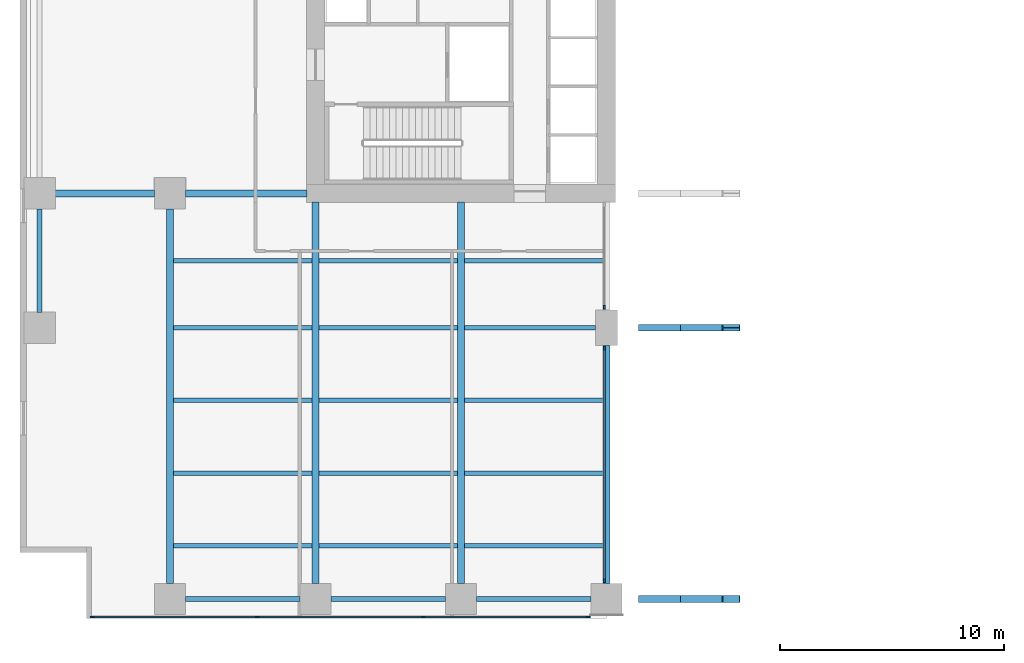
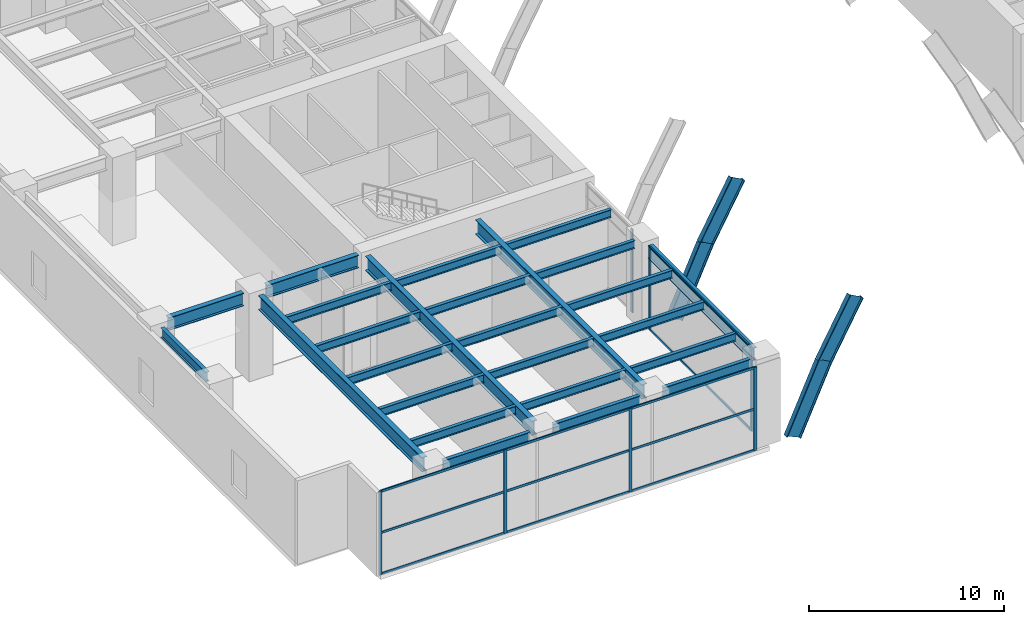
# One storey, part 2 of 17: 25 beams, 22 members, 3 elements without a shape of their own.
"""IFC4 building model written with IfcOpenShell, lengths in metres."""

from ifc_helpers import new_model, si_unit, direction, frame, origin, origin_2d, place, context, subcontext, project, spatial, rectangle, i_section, extrude, material, layer, layer_set, material_profile, profile_set, type_object, element, aggregate, save


model = new_model("IFC4")

# Units and contexts
model_context = context("Model", 3, precision=1e-05, world=origin(), true_north=direction((0.0, 1.0)))
body_context = subcontext(model_context, "Body", "Model", "MODEL_VIEW")
ifc_project = project(units=[si_unit("LENGTHUNIT", "METRE"), si_unit("AREAUNIT", "SQUARE_METRE"), si_unit("VOLUMEUNIT", "CUBIC_METRE"), si_unit("PLANEANGLEUNIT", "RADIAN"), si_unit("MASSUNIT", "GRAM", prefix="KILO")], contexts=[model_context])

# Site, building, storey
site_placement = place(None, origin())
site = spatial("IfcSite", under=ifc_project, at=site_placement, CompositionType="ELEMENT")
building_placement = place(site_placement, origin())
building = spatial("IfcBuilding", under=site, at=building_placement, Name="Putna Gate Headquarters", CompositionType="ELEMENT")
storey_placement = place(building_placement, frame((0.0, 0.0, 6.0)))
storey = spatial("IfcBuildingStorey", under=building, at=storey_placement, Name="L01", CompositionType="ELEMENT", Elevation=6.0)

# Beams
ifc_material_1 = material(Name="Steel S355J2", Category="steel")
ifc_material_profile_1 = material_profile(ifc_material_1, i_section(OverallWidth=0.300048828125, OverallDepth=0.800048828125, WebThickness=0.017578125, FlangeThickness=0.032958984375, at=origin_2d()), Name="Steel S355J2")
ifc_profile_set_1 = profile_set([ifc_material_profile_1], Name="Steel S355J2")
beam_type_1 = type_object("IfcBeamType", Name="BM-GIRD-P-HEB800", PredefinedType="USERDEFINED", material=ifc_profile_set_1)
beam_1_placement = place(storey_placement, frame((1.367919921875, 19.0, 4.820068359375), z_axis=(1.0, 0.0, 0.0), x_axis=(0.0, 1.0, 0.0)))
element("IfcBeam", 1, at=beam_1_placement, inside=storey, type_object=beam_type_1, Name="L01 West Wing Girder Y19-1", ObjectType="GIRDER", PredefinedType="USERDEFINED", context=body_context, shape_type="SweptSolid", body=[
    extrude(i_section(OverallWidth=0.300048828125, OverallDepth=0.800048828125, WebThickness=0.017578125, FlangeThickness=0.032958984375, at=origin_2d()), origin(), (0.0, 0.0, 1.0), 4.444091796875),
])
beam_2_placement = place(storey_placement, frame((7.18798828125, 19.0, 4.820068359375), z_axis=(1.0, 0.0, 0.0), x_axis=(0.0, 1.0, 0.0)))
element("IfcBeam", 2, at=beam_2_placement, inside=storey, type_object=beam_type_1, Name="L01 West Wing Girder Y19-2", ObjectType="GIRDER", PredefinedType="USERDEFINED", context=body_context, shape_type="SweptSolid", body=[
    extrude(i_section(OverallWidth=0.300048828125, OverallDepth=0.800048828125, WebThickness=0.017578125, FlangeThickness=0.032958984375, at=origin_2d()), origin(), (0.0, 0.0, 1.0), 5.427001953125),
])
beam_3_placement = place(storey_placement, frame((26.0, 1.568115234375, 4.820068359375), z_axis=(0.0, 1.0, 0.0), x_axis=(-1.0, 0.0, 0.0)))
element("IfcBeam", 3, at=beam_3_placement, inside=storey, type_object=beam_type_1, Name="L01 South Primary Girder X26-1", ObjectType="GIRDER", PredefinedType="USERDEFINED", context=body_context, shape_type="SweptSolid", body=[
    extrude(i_section(OverallWidth=0.300048828125, OverallDepth=0.800048828125, WebThickness=0.017578125, FlangeThickness=0.032958984375, at=origin_2d()), origin(), (0.0, 0.0, 1.0), 10.643798828125),
])
ifc_material_profile_2 = material_profile(ifc_material_1, i_section(OverallWidth=0.300048828125, OverallDepth=0.89990234375, WebThickness=0.0185546875, FlangeThickness=0.034912109375, at=origin_2d()), Name="Steel S355J2")
ifc_profile_set_2 = profile_set([ifc_material_profile_2], Name="Steel S355J2")
beam_type_2 = type_object("IfcBeamType", Name="BM-SEC-AUD-HEB900", PredefinedType="USERDEFINED", material=ifc_profile_set_2)
beam_4_placement = place(storey_placement, frame((6.5, 1.568115234375, 4.77001953125), z_axis=(0.0, 1.0, 0.0), x_axis=(-1.0, 0.0, 0.0)))
element("IfcBeam", 4, at=beam_4_placement, inside=storey, type_object=beam_type_2, Name="L01 South Primary Girder X6", ObjectType="GIRDER", PredefinedType="USERDEFINED", context=body_context, shape_type="SweptSolid", body=[
    extrude(i_section(OverallWidth=0.300048828125, OverallDepth=0.89990234375, WebThickness=0.0185546875, FlangeThickness=0.034912109375, at=origin_2d()), origin(), (0.0, 0.0, 1.0), 16.743896484375),
])
for number, where, z_axis, x_axis, name in (
    (5, (13.0, 1.568115234375, 4.77001953125), (0.0, 1.0, 0.0), (-1.0, 0.0, 0.0), "L01 South Primary Girder X13"),
    (6, (19.5, 1.568115234375, 4.77001953125), (0.0, 1.0, 0.0), (-1.0, 0.0, 0.0), "L01 South Primary Girder X19"),
):
    element("IfcBeam", number, at=place(storey_placement, frame(where, z_axis=z_axis, x_axis=x_axis)), inside=storey, type_object=beam_type_2, Name=name, ObjectType="GIRDER", PredefinedType="USERDEFINED", context=body_context, shape_type="SweptSolid", body=[
        extrude(i_section(OverallWidth=0.300048828125, OverallDepth=0.89990234375, WebThickness=0.0185546875, FlangeThickness=0.034912109375, at=origin_2d()), origin(), (0.0, 0.0, 1.0), 17.046875),
    ])
ifc_material_profile_3 = material_profile(ifc_material_1, i_section(OverallWidth=0.199951171875, OverallDepth=0.5, WebThickness=0.01025390625, FlangeThickness=0.01611328125, at=origin_2d()), Name="Steel S355J2")
ifc_profile_set_3 = profile_set([ifc_material_profile_3], Name="Steel S355J2")
beam_type_3 = type_object("IfcBeamType", Name="BM-SEC-P-IPE500", PredefinedType="BEAM", material=ifc_profile_set_3)
for number, where, z_axis, x_axis, name in (
    (7, (6.654052734375, 3.25, 4.969970703125), (1.0, 0.0, 0.0), (0.0, 1.0, 0.0), "L01 South Secondary Beam 1"),
    (8, (6.654052734375, 6.5, 4.969970703125), (1.0, 0.0, 0.0), (0.0, 1.0, 0.0), "L01 South Secondary Beam 1"),
    (9, (6.654052734375, 9.75, 4.969970703125), (1.0, 0.0, 0.0), (0.0, 1.0, 0.0), "L01 South Secondary Beam 1"),
    (10, (6.654052734375, 13.0, 4.969970703125), (1.0, 0.0, 0.0), (0.0, 1.0, 0.0), "L01 South Secondary Beam 1"),
    (11, (6.654052734375, 16.0, 4.969970703125), (1.0, 0.0, 0.0), (0.0, 1.0, 0.0), "L01 South Secondary Beam 1"),
    (12, (13.154052734375, 3.25, 4.969970703125), (1.0, 0.0, 0.0), (0.0, 1.0, 0.0), "L01 South Secondary Beam 2"),
    (13, (13.154052734375, 6.5, 4.969970703125), (1.0, 0.0, 0.0), (0.0, 1.0, 0.0), "L01 South Secondary Beam 2"),
    (14, (13.154052734375, 9.75, 4.969970703125), (1.0, 0.0, 0.0), (0.0, 1.0, 0.0), "L01 South Secondary Beam 2"),
    (15, (13.154052734375, 13.0, 4.969970703125), (1.0, 0.0, 0.0), (0.0, 1.0, 0.0), "L01 South Secondary Beam 2"),
    (16, (13.154052734375, 16.0, 4.969970703125), (1.0, 0.0, 0.0), (0.0, 1.0, 0.0), "L01 South Secondary Beam 2"),
    (17, (19.654052734375, 3.25, 4.969970703125), (1.0, 0.0, 0.0), (0.0, 1.0, 0.0), "L01 South Secondary Beam 3"),
    (18, (19.654052734375, 6.5, 4.969970703125), (1.0, 0.0, 0.0), (0.0, 1.0, 0.0), "L01 South Secondary Beam 3"),
    (19, (19.654052734375, 9.75, 4.969970703125), (1.0, 0.0, 0.0), (0.0, 1.0, 0.0), "L01 South Secondary Beam 3"),
):
    element("IfcBeam", number, at=place(storey_placement, frame(where, z_axis=z_axis, x_axis=x_axis)), inside=storey, type_object=beam_type_3, Name=name, PredefinedType="BEAM", context=body_context, shape_type="SweptSolid", body=[
        extrude(i_section(OverallWidth=0.199951171875, OverallDepth=0.5, WebThickness=0.01025390625, FlangeThickness=0.01611328125, at=origin_2d()), origin(), (0.0, 0.0, 1.0), 6.19189453125),
    ])
beam_5_placement = place(storey_placement, frame((19.654052734375, 13.0, 4.969970703125), z_axis=(1.0, 0.0, 0.0), x_axis=(0.0, 1.0, 0.0)))
element("IfcBeam", 20, at=beam_5_placement, inside=storey, type_object=beam_type_3, Name="L01 South Secondary Beam 3", PredefinedType="BEAM", context=body_context, shape_type="SweptSolid", body=[
    extrude(i_section(OverallWidth=0.199951171875, OverallDepth=0.5, WebThickness=0.01025390625, FlangeThickness=0.01611328125, at=origin_2d()), origin(), (0.0, 0.0, 1.0), 5.85791015625),
])
beam_6_placement = place(storey_placement, frame((19.654052734375, 16.0, 4.969970703125), z_axis=(1.0, 0.0, 0.0), x_axis=(0.0, 1.0, 0.0)))
element("IfcBeam", 21, at=beam_6_placement, inside=storey, type_object=beam_type_3, Name="L01 South Secondary Beam 3", PredefinedType="BEAM", context=body_context, shape_type="SweptSolid", body=[
    extrude(i_section(OverallWidth=0.199951171875, OverallDepth=0.5, WebThickness=0.01025390625, FlangeThickness=0.01611328125, at=origin_2d()), origin(), (0.0, 0.0, 1.0), 6.19189453125),
])
ifc_material_profile_4 = material_profile(ifc_material_1, i_section(OverallWidth=0.219970703125, OverallDepth=0.60009765625, WebThickness=0.011962890625, FlangeThickness=0.01904296875, at=origin_2d()), Name="Steel S355J2")
ifc_profile_set_4 = profile_set([ifc_material_profile_4], Name="Steel S355J2")
beam_type_4 = type_object("IfcBeamType", Name="BM-SPAN-P-IPE600", PredefinedType="SPANDREL", material=ifc_profile_set_4)
for number, where, z_axis, x_axis, name in (
    (22, (7.18798828125, 0.8798828125, 4.919921875), (1.0, 0.0, 0.0), (0.0, 1.0, 0.0), "L01 S Perimeter Spandrel 1"),
    (23, (13.68798828125, 0.8798828125, 4.919921875), (1.0, 0.0, 0.0), (0.0, 1.0, 0.0), "L01 S Perimeter Spandrel 2"),
    (24, (20.18798828125, 0.8798828125, 4.919921875), (1.0, 0.0, 0.0), (0.0, 1.0, 0.0), "L01 S Perimeter Spandrel 3"),
):
    element("IfcBeam", number, at=place(storey_placement, frame(where, z_axis=z_axis, x_axis=x_axis)), inside=storey, type_object=beam_type_4, Name=name, PredefinedType="SPANDREL", context=body_context, shape_type="SweptSolid", body=[
        extrude(i_section(OverallWidth=0.219970703125, OverallDepth=0.60009765625, WebThickness=0.011962890625, FlangeThickness=0.01904296875, at=origin_2d()), origin(), (0.0, 0.0, 1.0), 5.1240234375),
    ])
beam_7_placement = place(storey_placement, frame((0.679931640625, 13.68798828125, 4.919921875), z_axis=(0.0, 1.0, 0.0), x_axis=(-1.0, 0.0, 0.0)))
element("IfcBeam", 25, at=beam_7_placement, inside=storey, type_object=beam_type_4, Name="L01 W End Spandrel 1", PredefinedType="SPANDREL", context=body_context, shape_type="SweptSolid", body=[
    extrude(i_section(OverallWidth=0.219970703125, OverallDepth=0.60009765625, WebThickness=0.011962890625, FlangeThickness=0.01904296875, at=origin_2d()), origin(), (0.0, 0.0, 1.0), 4.6240234375),
])

# Members
ifc_material_2 = material(Name="Steel S460M", Category="steel")
ifc_material_profile_5 = material_profile(ifc_material_2, i_section(OverallWidth=0.302001953125, OverallDepth=0.909912109375, WebThickness=0.02099609375, FlangeThickness=0.0400390625, at=origin_2d()), Name="Steel S460M")
ifc_profile_set_5 = profile_set([ifc_material_profile_5], Name="Steel S460M")
member_type_1 = type_object("IfcMemberType", Name="MEM-ARCH-CHORD-HEM900", PredefinedType="STRUT", material=ifc_profile_set_5)
member_1_placement = place(storey_placement, frame((27.857177734375, 0.8798828125, -0.568359375), z_axis=(0.41007102507, 0.0, 0.912053591845), x_axis=(0.0, 1.0, 0.0)))
element("IfcMember", 26, at=member_1_placement, inside=storey, type_object=member_type_1, Name="Giant Parabolic Arch Chord S-2", PredefinedType="STRUT", context=body_context, shape_type="SweptSolid", body=[
    extrude(i_section(OverallWidth=0.302001953125, OverallDepth=0.909912109375, WebThickness=0.02099609375, FlangeThickness=0.0400390625, at=origin_2d()), origin(), (0.0, 0.0, 1.0), 4.52880859375),
])
member_2_placement = place(storey_placement, frame((29.71435546875, 0.8798828125, 3.562255859375), z_axis=(0.48154685796, 0.0, 0.876420346403), x_axis=(0.0, 1.0, 0.0)))
element("IfcMember", 27, at=member_2_placement, inside=storey, type_object=member_type_1, Name="Giant Parabolic Arch Chord S-3", PredefinedType="STRUT", context=body_context, shape_type="SweptSolid", body=[
    extrude(i_section(OverallWidth=0.302001953125, OverallDepth=0.909912109375, WebThickness=0.02099609375, FlangeThickness=0.0400390625, at=origin_2d()), origin(), (0.0, 0.0, 1.0), 3.856201171875),
])
ifc_material_profile_6 = material_profile(ifc_material_2, i_section(OverallWidth=0.302001953125, OverallDepth=0.909912109375, WebThickness=0.02099609375, FlangeThickness=0.0400390625, at=origin_2d()), Name="Steel S460M")
ifc_profile_set_6 = profile_set([ifc_material_profile_6], Name="Steel S460M")
member_type_2 = type_object("IfcMemberType", Name="MEM-ARCH-CHORD-INT-HEM900", PredefinedType="STRUT", material=ifc_profile_set_6)
member_3_placement = place(storey_placement, frame((27.857177734375, 13.0, -0.568359375), z_axis=(0.41007102507, 0.0, 0.912053591845), x_axis=(0.0, 1.0, 0.0)))
element("IfcMember", 28, at=member_3_placement, inside=storey, type_object=member_type_2, Name="Giant Parabolic Arch Chord CS-2", PredefinedType="STRUT", context=body_context, shape_type="SweptSolid", body=[
    extrude(i_section(OverallWidth=0.302001953125, OverallDepth=0.909912109375, WebThickness=0.02099609375, FlangeThickness=0.0400390625, at=origin_2d()), origin(), (0.0, 0.0, 1.0), 4.52880859375),
])
member_4_placement = place(storey_placement, frame((29.71435546875, 13.0, 3.562255859375), z_axis=(0.48154685796, 0.0, 0.876420346403), x_axis=(0.0, 1.0, 0.0)))
element("IfcMember", 29, at=member_4_placement, inside=storey, type_object=member_type_2, Name="Giant Parabolic Arch Chord CS-3", PredefinedType="STRUT", context=body_context, shape_type="SweptSolid", body=[
    extrude(i_section(OverallWidth=0.302001953125, OverallDepth=0.909912109375, WebThickness=0.02099609375, FlangeThickness=0.0400390625, at=origin_2d()), origin(), (0.0, 0.0, 1.0), 3.856201171875),
])

# Curtain wall, members
ifc_material_3 = material(Name="Anodised bronze aluminium curtain wall", Category="aluminium")
ifc_layer_1 = layer(ifc_material_3, 0.179931640625)
ifc_layer_set_1 = layer_set([ifc_layer_1], Name="Anodised bronze aluminium curtain wall")
curtain_wall_type_1 = type_object("IfcCurtainWallType", Name="CW-SYS-ATR", PredefinedType="USERDEFINED", material=ifc_layer_set_1)
curtain_wall_1_placement = place(storey_placement, origin())
curtain_wall_1 = element("IfcCurtainWall", 30, at=curtain_wall_1_placement, inside=storey, type_object=curtain_wall_type_1, Name="L01 Arch Flank Glazing W-S1", ObjectType="ATRIUM GLAZING", PredefinedType="USERDEFINED")
ifc_material_4 = material(Name="Anodised bronze aluminium EN AW-6060", Category="aluminium")
ifc_material_profile_7 = material_profile(ifc_material_4, rectangle(XDim=0.070068359375, YDim=0.179931640625, at=origin_2d()), Name="Anodised bronze aluminium EN AW-6060")
ifc_profile_set_7 = profile_set([ifc_material_profile_7], Name="Anodised bronze aluminium EN AW-6060")
member_type_3 = type_object("IfcMemberType", Name="MULL-CWM-AT", PredefinedType="MULLION", material=ifc_profile_set_7)
member_5_placement = place(storey_placement, frame((25.89990234375, 1.68505859375, 0.0), z_axis=(0.0, 0.0, 1.0), x_axis=(-1.0, 0.0, 0.0)))
member_5 = element("IfcMember", 31, at=member_5_placement, type_object=member_type_3, Name="CWS-AT mullion 1", PredefinedType="MULLION", context=body_context, shape_type="SweptSolid", body=[
    extrude(rectangle(XDim=0.070068359375, YDim=0.179931640625, at=origin_2d()), origin(), (0.0, 0.0, 1.0), 5.219970703125),
])
member_6_placement = place(storey_placement, frame((25.89990234375, 12.0849609375, 0.0), z_axis=(0.0, 0.0, 1.0), x_axis=(-1.0, 0.0, 0.0)))
member_6 = element("IfcMember", 32, at=member_6_placement, type_object=member_type_3, Name="CWS-AT mullion 2", PredefinedType="MULLION", context=body_context, shape_type="SweptSolid", body=[
    extrude(rectangle(XDim=0.070068359375, YDim=0.179931640625, at=origin_2d()), origin(), (0.0, 0.0, 1.0), 5.219970703125),
])

# Curtain wall, member
curtain_wall_2_placement = place(storey_placement, origin())
curtain_wall_2 = element("IfcCurtainWall", 33, at=curtain_wall_2_placement, inside=storey, type_object=curtain_wall_type_1, Name="L01 Arch Flank Glazing W-S2", ObjectType="ATRIUM GLAZING", PredefinedType="USERDEFINED")
member_7_placement = place(storey_placement, frame((25.89990234375, 13.9150390625, 0.0), z_axis=(0.0, 0.0, 1.0), x_axis=(-1.0, 0.0, 0.0)))
member_7 = element("IfcMember", 34, at=member_7_placement, type_object=member_type_3, Name="CWS-AT mullion 1", PredefinedType="MULLION", context=body_context, shape_type="SweptSolid", body=[
    extrude(rectangle(XDim=0.070068359375, YDim=0.179931640625, at=origin_2d()), origin(), (0.0, 0.0, 1.0), 5.219970703125),
])
aggregate(curtain_wall_2, [member_7])

# Curtain wall, members
ifc_layer_2 = layer(ifc_material_3, 0.179931640625)
ifc_layer_set_2 = layer_set([ifc_layer_2], Name="Anodised bronze aluminium curtain wall")
curtain_wall_type_2 = type_object("IfcCurtainWallType", Name="CW-SYS-POD", PredefinedType="USERDEFINED", material=ifc_layer_set_2)
curtain_wall_3_placement = place(storey_placement, origin())
curtain_wall_3 = element("IfcCurtainWall", 35, at=curtain_wall_3_placement, inside=storey, type_object=curtain_wall_type_2, Name="L01 South West Curtain Wall", ObjectType="STICK CURTAIN WALL", PredefinedType="USERDEFINED")
ifc_material_profile_8 = material_profile(ifc_material_4, rectangle(XDim=0.070068359375, YDim=0.179931640625, at=origin_2d()), Name="Anodised bronze aluminium EN AW-6060")
ifc_profile_set_8 = profile_set([ifc_material_profile_8], Name="Anodised bronze aluminium EN AW-6060")
member_type_4 = type_object("IfcMemberType", Name="MULL-CWM-P", PredefinedType="MULLION", material=ifc_profile_set_8)
member_8_placement = place(storey_placement, frame((3.034912109375, 0.080078125, 0.0), z_axis=(0.0, 0.0, 1.0), x_axis=(0.0, 1.0, 0.0)))
member_8 = element("IfcMember", 36, at=member_8_placement, type_object=member_type_4, Name="CWS-P mullion 1", PredefinedType="MULLION", context=body_context, shape_type="SweptSolid", body=[
    extrude(rectangle(XDim=0.070068359375, YDim=0.179931640625, at=origin_2d()), origin(), (0.0, 0.0, 1.0), 5.219970703125),
])
member_9_placement = place(storey_placement, frame((10.40673828125, 0.080078125, 0.0), z_axis=(0.0, 0.0, 1.0), x_axis=(0.0, 1.0, 0.0)))
member_9 = element("IfcMember", 37, at=member_9_placement, type_object=member_type_4, Name="CWS-P mullion 2", PredefinedType="MULLION", context=body_context, shape_type="SweptSolid", body=[
    extrude(rectangle(XDim=0.070068359375, YDim=0.179931640625, at=origin_2d()), origin(), (0.0, 0.0, 1.0), 5.219970703125),
])
member_10_placement = place(storey_placement, frame((17.813232421875, 0.080078125, 0.0), z_axis=(0.0, 0.0, 1.0), x_axis=(0.0, 1.0, 0.0)))
member_10 = element("IfcMember", 38, at=member_10_placement, type_object=member_type_4, Name="CWS-P mullion 3", PredefinedType="MULLION", context=body_context, shape_type="SweptSolid", body=[
    extrude(rectangle(XDim=0.070068359375, YDim=0.179931640625, at=origin_2d()), origin(), (0.0, 0.0, 1.0), 5.219970703125),
])
member_11_placement = place(storey_placement, frame((25.18505859375, 0.080078125, 0.0), z_axis=(0.0, 0.0, 1.0), x_axis=(0.0, 1.0, 0.0)))
member_11 = element("IfcMember", 39, at=member_11_placement, type_object=member_type_4, Name="CWS-P mullion 4", PredefinedType="MULLION", context=body_context, shape_type="SweptSolid", body=[
    extrude(rectangle(XDim=0.070068359375, YDim=0.179931640625, at=origin_2d()), origin(), (0.0, 0.0, 1.0), 5.219970703125),
])

# Member
ifc_material_profile_9 = material_profile(ifc_material_4, rectangle(XDim=0.070068359375, YDim=0.139892578125, at=origin_2d()), Name="Anodised bronze aluminium EN AW-6060")
ifc_profile_set_9 = profile_set([ifc_material_profile_9], Name="Anodised bronze aluminium EN AW-6060")
member_type_5 = type_object("IfcMemberType", Name="TRAN-CWT-AT", PredefinedType="USERDEFINED", material=ifc_profile_set_9)
member_12_placement = place(storey_placement, frame((25.89990234375, 1.719970703125, 0.034912109375), z_axis=(0.0, 1.0, 0.0), x_axis=(-1.0, 0.0, 0.0)))
member_12 = element("IfcMember", 40, at=member_12_placement, type_object=member_type_5, Name="CWS-AT transom 1.1", ObjectType="TRANSOM", PredefinedType="USERDEFINED", context=body_context, shape_type="SweptSolid", body=[
    extrude(rectangle(XDim=0.070068359375, YDim=0.139892578125, at=origin_2d()), origin(), (0.0, 0.0, 1.0), 10.330078125),
])

member_13_placement = place(storey_placement, frame((25.89990234375, 1.719970703125, 5.18505859375), z_axis=(0.0, 1.0, 0.0), x_axis=(-1.0, 0.0, 0.0)))
member_13 = element("IfcMember", 41, at=member_13_placement, type_object=member_type_5, Name="CWS-AT transom 1.2", ObjectType="TRANSOM", PredefinedType="USERDEFINED", context=body_context, shape_type="SweptSolid", body=[
    extrude(rectangle(XDim=0.070068359375, YDim=0.139892578125, at=origin_2d()), origin(), (0.0, 0.0, 1.0), 10.330078125),
])

aggregate(curtain_wall_1, [member_5, member_6, member_12, member_13])

ifc_material_profile_10 = material_profile(ifc_material_4, rectangle(XDim=0.070068359375, YDim=0.139892578125, at=origin_2d()), Name="Anodised bronze aluminium EN AW-6060")
ifc_profile_set_10 = profile_set([ifc_material_profile_10], Name="Anodised bronze aluminium EN AW-6060")
member_type_6 = type_object("IfcMemberType", Name="TRAN-CWT-P", PredefinedType="USERDEFINED", material=ifc_profile_set_10)
member_14_placement = place(storey_placement, frame((3.070068359375, 0.080078125, 0.034912109375), z_axis=(1.0, 0.0, 0.0), x_axis=(0.0, 1.0, 0.0)))
member_14 = element("IfcMember", 42, at=member_14_placement, type_object=member_type_6, Name="CWS-P transom 1.1", ObjectType="TRANSOM", PredefinedType="USERDEFINED", context=body_context, shape_type="SweptSolid", body=[
    extrude(rectangle(XDim=0.070068359375, YDim=0.139892578125, at=origin_2d()), origin(), (0.0, 0.0, 1.0), 7.301513671875),
])

member_15_placement = place(storey_placement, frame((3.070068359375, 0.080078125, 2.610107421875), z_axis=(1.0, 0.0, 0.0), x_axis=(0.0, 1.0, 0.0)))
member_15 = element("IfcMember", 43, at=member_15_placement, type_object=member_type_6, Name="CWS-P transom 1.2", ObjectType="TRANSOM", PredefinedType="USERDEFINED", context=body_context, shape_type="SweptSolid", body=[
    extrude(rectangle(XDim=0.070068359375, YDim=0.139892578125, at=origin_2d()), origin(), (0.0, 0.0, 1.0), 7.301513671875),
])

member_16_placement = place(storey_placement, frame((3.070068359375, 0.080078125, 5.18505859375), z_axis=(1.0, 0.0, 0.0), x_axis=(0.0, 1.0, 0.0)))
member_16 = element("IfcMember", 44, at=member_16_placement, type_object=member_type_6, Name="CWS-P transom 1.3", ObjectType="TRANSOM", PredefinedType="USERDEFINED", context=body_context, shape_type="SweptSolid", body=[
    extrude(rectangle(XDim=0.070068359375, YDim=0.139892578125, at=origin_2d()), origin(), (0.0, 0.0, 1.0), 7.301513671875),
])

member_17_placement = place(storey_placement, frame((10.441650390625, 0.080078125, 0.034912109375), z_axis=(1.0, 0.0, 0.0), x_axis=(0.0, 1.0, 0.0)))
member_17 = element("IfcMember", 45, at=member_17_placement, type_object=member_type_6, Name="CWS-P transom 2.1", ObjectType="TRANSOM", PredefinedType="USERDEFINED", context=body_context, shape_type="SweptSolid", body=[
    extrude(rectangle(XDim=0.070068359375, YDim=0.139892578125, at=origin_2d()), origin(), (0.0, 0.0, 1.0), 7.336669921875),
])

member_18_placement = place(storey_placement, frame((10.441650390625, 0.080078125, 2.610107421875), z_axis=(1.0, 0.0, 0.0), x_axis=(0.0, 1.0, 0.0)))
member_18 = element("IfcMember", 46, at=member_18_placement, type_object=member_type_6, Name="CWS-P transom 2.2", ObjectType="TRANSOM", PredefinedType="USERDEFINED", context=body_context, shape_type="SweptSolid", body=[
    extrude(rectangle(XDim=0.070068359375, YDim=0.139892578125, at=origin_2d()), origin(), (0.0, 0.0, 1.0), 7.336669921875),
])

member_19_placement = place(storey_placement, frame((10.441650390625, 0.080078125, 5.18505859375), z_axis=(1.0, 0.0, 0.0), x_axis=(0.0, 1.0, 0.0)))
member_19 = element("IfcMember", 47, at=member_19_placement, type_object=member_type_6, Name="CWS-P transom 2.3", ObjectType="TRANSOM", PredefinedType="USERDEFINED", context=body_context, shape_type="SweptSolid", body=[
    extrude(rectangle(XDim=0.070068359375, YDim=0.139892578125, at=origin_2d()), origin(), (0.0, 0.0, 1.0), 7.336669921875),
])

member_20_placement = place(storey_placement, frame((17.848388671875, 0.080078125, 0.034912109375), z_axis=(1.0, 0.0, 0.0), x_axis=(0.0, 1.0, 0.0)))
member_20 = element("IfcMember", 48, at=member_20_placement, type_object=member_type_6, Name="CWS-P transom 3.1", ObjectType="TRANSOM", PredefinedType="USERDEFINED", context=body_context, shape_type="SweptSolid", body=[
    extrude(rectangle(XDim=0.070068359375, YDim=0.139892578125, at=origin_2d()), origin(), (0.0, 0.0, 1.0), 7.301513671875),
])

member_21_placement = place(storey_placement, frame((17.848388671875, 0.080078125, 2.610107421875), z_axis=(1.0, 0.0, 0.0), x_axis=(0.0, 1.0, 0.0)))
member_21 = element("IfcMember", 49, at=member_21_placement, type_object=member_type_6, Name="CWS-P transom 3.2", ObjectType="TRANSOM", PredefinedType="USERDEFINED", context=body_context, shape_type="SweptSolid", body=[
    extrude(rectangle(XDim=0.070068359375, YDim=0.139892578125, at=origin_2d()), origin(), (0.0, 0.0, 1.0), 7.301513671875),
])

member_22_placement = place(storey_placement, frame((17.848388671875, 0.080078125, 5.18505859375), z_axis=(1.0, 0.0, 0.0), x_axis=(0.0, 1.0, 0.0)))
member_22 = element("IfcMember", 50, at=member_22_placement, type_object=member_type_6, Name="CWS-P transom 3.3", ObjectType="TRANSOM", PredefinedType="USERDEFINED", context=body_context, shape_type="SweptSolid", body=[
    extrude(rectangle(XDim=0.070068359375, YDim=0.139892578125, at=origin_2d()), origin(), (0.0, 0.0, 1.0), 7.301513671875),
])

aggregate(curtain_wall_3, [member_8, member_9, member_10, member_11, member_14, member_15, member_16, member_17, member_18, member_19, member_20, member_21, member_22])

save(model, "model.ifc")
